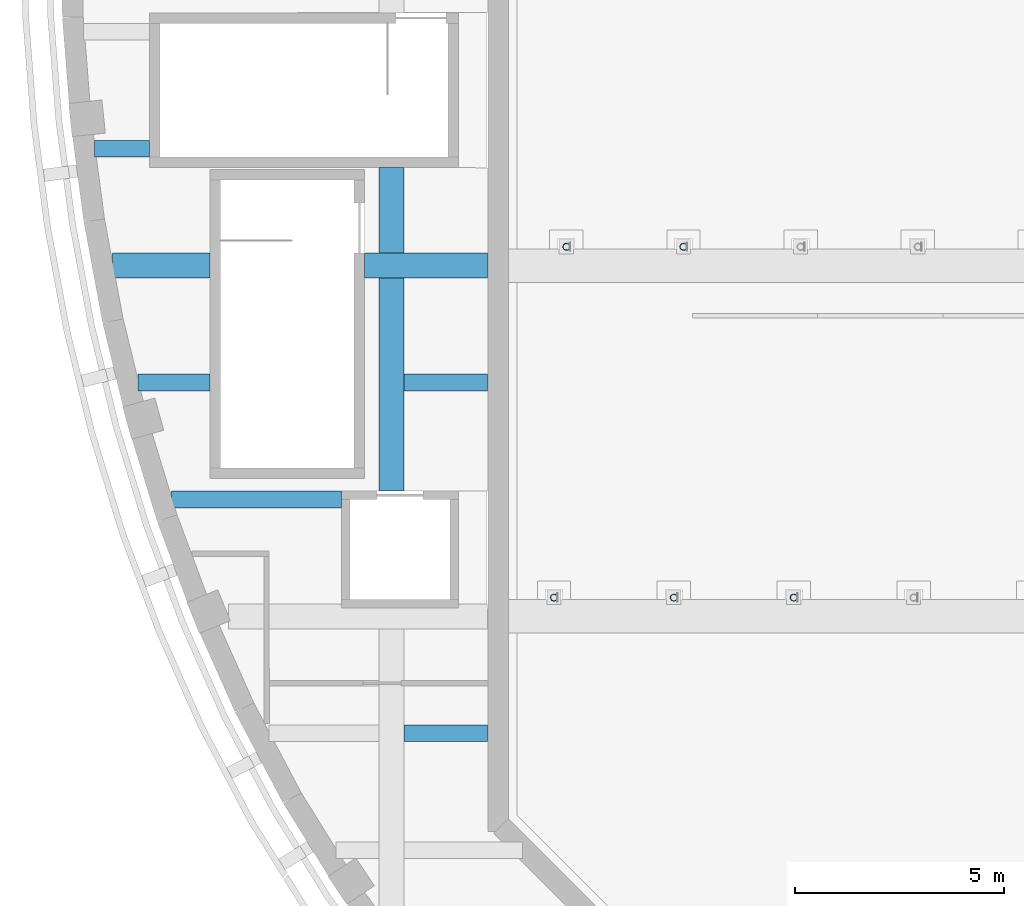
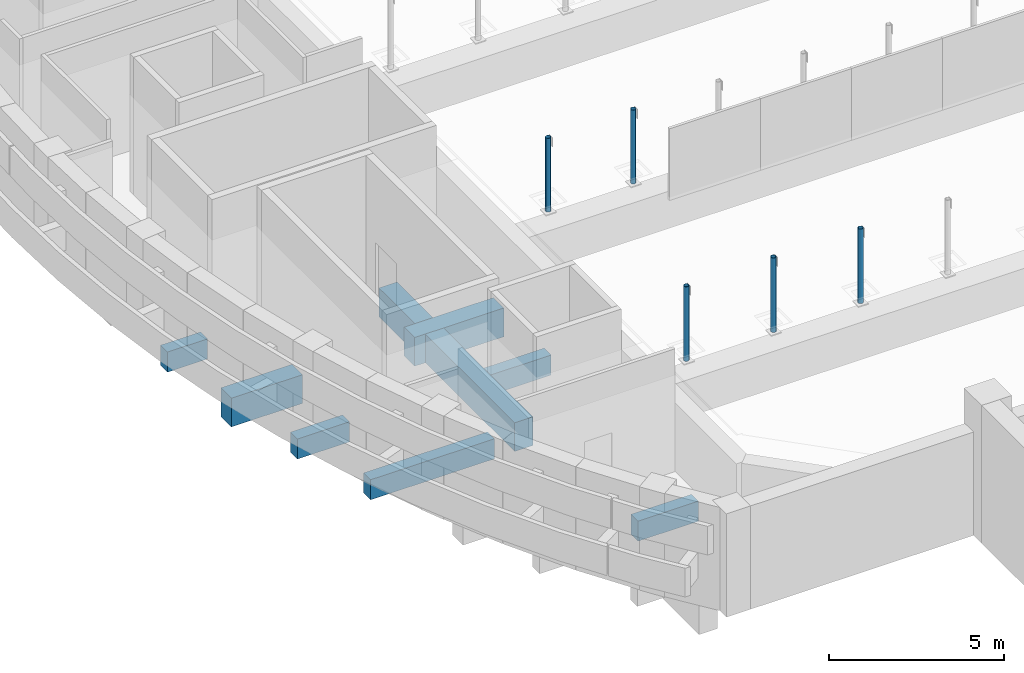
# One storey, part 2 of 47: 8 beams, 5 members.
"""IFC4 building model written with IfcOpenShell, lengths in metres."""

from ifc_helpers import new_model, si_unit, direction, frame, origin, origin_2d, place, context, subcontext, project, spatial, rectangle, hollow_circle, extrude, material, material_profile, profile_set, type_object, element, save


model = new_model("IFC4")

# Units and contexts
model_context = context("Model", 3, precision=1e-05, world=origin(), true_north=direction((0.0, 1.0)))
body_context = subcontext(model_context, "Body", "Model", "MODEL_VIEW")
ifc_project = project(units=[si_unit("LENGTHUNIT", "METRE"), si_unit("AREAUNIT", "SQUARE_METRE"), si_unit("VOLUMEUNIT", "CUBIC_METRE"), si_unit("PLANEANGLEUNIT", "RADIAN"), si_unit("MASSUNIT", "GRAM", prefix="KILO")], contexts=[model_context])

# Site, building, storey
site_placement = place(None, origin())
site = spatial("IfcSite", under=ifc_project, at=site_placement, CompositionType="ELEMENT")
building_placement = place(site_placement, origin())
building = spatial("IfcBuilding", under=site, at=building_placement, Name="Larchfold Concert Hall", CompositionType="ELEMENT")
storey_placement = place(building_placement, frame((0.0, 0.0, 24.0)))
storey = spatial("IfcBuildingStorey", under=building, at=storey_placement, Name="L05", CompositionType="ELEMENT", Elevation=24.0)

# Beams
ifc_material_1 = material(Name="Concrete C35/45", Category="concrete")
ifc_material_profile_1 = material_profile(ifc_material_1, rectangle(XDim=0.39990234375, YDim=0.699951171875, at=origin_2d()))
ifc_profile_set_1 = profile_set([ifc_material_profile_1], Name="Concrete C35/45")
beam_type_1 = type_object("IfcBeamType", Name="Beam RC 400x700", PredefinedType="BEAM", material=ifc_profile_set_1)
beam_1_placement = place(storey_placement, frame((26.10009765625, 65.0, -0.550048828125), z_axis=(1.0, 0.0, 0.0), x_axis=(0.0, 1.0, 0.0)))
element("IfcBeam", 1, at=beam_1_placement, inside=storey, type_object=beam_type_1, Name="Beam B1555", PredefinedType="BEAM", context=body_context, shape_type="SweptSolid", body=[
    extrude(rectangle(XDim=0.39990234375, YDim=0.699951171875, at=origin_2d()), origin(), (0.0, 0.0, 1.0), 1.989990234375),
])
beam_2_placement = place(storey_placement, frame((20.525634765625, 70.60009765625, -0.550048828125), z_axis=(1.0, 0.0, 0.0), x_axis=(0.0, 1.0, 0.0)))
element("IfcBeam", 2, at=beam_2_placement, inside=storey, type_object=beam_type_1, Name="Beam B1558", PredefinedType="BEAM", context=body_context, shape_type="SweptSolid", body=[
    extrude(rectangle(XDim=0.39990234375, YDim=0.699951171875, at=origin_2d()), origin(), (0.0, 0.0, 1.0), 4.074462890625),
])
beam_3_placement = place(storey_placement, frame((19.72119140625, 73.39990234375, -0.550048828125), z_axis=(1.0, 0.0, 0.0), x_axis=(0.0, 1.0, 0.0)))
element("IfcBeam", 3, at=beam_3_placement, inside=storey, type_object=beam_type_1, Name="Beam B1560", PredefinedType="BEAM", context=body_context, shape_type="SweptSolid", body=[
    extrude(rectangle(XDim=0.39990234375, YDim=0.699951171875, at=origin_2d()), origin(), (0.0, 0.0, 1.0), 1.728759765625),
])
beam_4_placement = place(storey_placement, frame((26.10009765625, 73.39990234375, -0.550048828125), z_axis=(1.0, 0.0, 0.0), x_axis=(0.0, 1.0, 0.0)))
element("IfcBeam", 4, at=beam_4_placement, inside=storey, type_object=beam_type_1, Name="Beam B1561", PredefinedType="BEAM", context=body_context, shape_type="SweptSolid", body=[
    extrude(rectangle(XDim=0.39990234375, YDim=0.699951171875, at=origin_2d()), origin(), (0.0, 0.0, 1.0), 1.989990234375),
])
beam_5_placement = place(storey_placement, frame((18.68017578125, 79.0, -0.550048828125), z_axis=(1.0, 0.0, 0.0), x_axis=(0.0, 1.0, 0.0)))
element("IfcBeam", 5, at=beam_5_placement, inside=storey, type_object=beam_type_1, Name="Beam B1564", PredefinedType="BEAM", context=body_context, shape_type="SweptSolid", body=[
    extrude(rectangle(XDim=0.39990234375, YDim=0.699951171875, at=origin_2d()), origin(), (0.0, 0.0, 1.0), 1.31982421875),
])
ifc_material_2 = material(Name="Concrete C35/45", Category="concrete")
ifc_material_profile_2 = material_profile(ifc_material_2, rectangle(XDim=0.60009765625, YDim=1.0, at=origin_2d()))
ifc_profile_set_2 = profile_set([ifc_material_profile_2], Name="Concrete C35/45")
beam_type_2 = type_object("IfcBeamType", Name="Beam RC 600x1000", PredefinedType="BEAM", material=ifc_profile_set_2)
beam_6_placement = place(storey_placement, frame((25.800048828125, 70.800048828125, -0.699951171875), z_axis=(0.0, 1.0, 0.0), x_axis=(-1.0, 0.0, 0.0)))
element("IfcBeam", 6, at=beam_6_placement, inside=storey, type_object=beam_type_2, Name="Beam B1522", PredefinedType="BEAM", context=body_context, shape_type="SweptSolid", body=[
    extrude(rectangle(XDim=0.60009765625, YDim=1.0, at=origin_2d()), origin(), (0.0, 0.0, 1.0), 7.75),
])
beam_7_placement = place(storey_placement, frame((19.1103515625, 76.199951171875, -0.699951171875), z_axis=(1.0, 0.0, 0.0), x_axis=(0.0, 1.0, 0.0)))
element("IfcBeam", 7, at=beam_7_placement, inside=storey, type_object=beam_type_2, Name="Beam B1534", PredefinedType="BEAM", context=body_context, shape_type="SweptSolid", body=[
    extrude(rectangle(XDim=0.60009765625, YDim=1.0, at=origin_2d()), origin(), (0.0, 0.0, 1.0), 2.339599609375),
])
beam_8_placement = place(storey_placement, frame((25.14990234375, 76.199951171875, -0.699951171875), z_axis=(1.0, 0.0, 0.0), x_axis=(0.0, 1.0, 0.0)))
element("IfcBeam", 8, at=beam_8_placement, inside=storey, type_object=beam_type_2, Name="Beam B1535", PredefinedType="BEAM", context=body_context, shape_type="SweptSolid", body=[
    extrude(rectangle(XDim=0.60009765625, YDim=1.0, at=origin_2d()), origin(), (0.0, 0.0, 1.0), 2.940185546875),
])

# Members
ifc_material_3 = material(Name="Steel S355J2H", Category="steel")
ifc_material_profile_3 = material_profile(ifc_material_3, hollow_circle(Radius=0.084228515625, WallThickness=0.008056640625, at=origin_2d()))
ifc_profile_set_3 = profile_set([ifc_material_profile_3], Name="Steel S355J2H")
member_type = type_object("IfcMemberType", Name="Truss post CHS 168.3x8", PredefinedType="POST", material=ifc_profile_set_3)
for number, where, z_axis, x_axis, name in (
    (9, (29.684814453125, 68.25, 2.080078125), (0.0, 0.0, 1.0), (1.0, 0.0, 0.0), "Member TP001"),
    (10, (32.5546875, 68.25, 2.080078125), (0.0, 0.0, 1.0), (1.0, 0.0, 0.0), "Member TP002"),
    (11, (35.4248046875, 68.25, 2.080078125), (0.0, 0.0, 1.0), (1.0, 0.0, 0.0), "Member TP003"),
):
    element("IfcMember", number, at=place(storey_placement, frame(where, z_axis=z_axis, x_axis=x_axis)), inside=storey, type_object=member_type, Name=name, PredefinedType="POST", context=body_context, shape_type="SweptSolid", body=[
        extrude(hollow_circle(Radius=0.084228515625, WallThickness=0.008056640625, at=origin_2d()), origin(), (0.0, 0.0, 1.0), 2.594970703125),
    ])
for number, where, z_axis, x_axis, name in (
    (12, (29.981201171875, 76.650146484375, 2.080078125), (0.0, 0.0, 1.0), (1.0, 0.0, 0.0), "Member TP011"),
    (13, (32.785400390625, 76.650146484375, 2.080078125), (0.0, 0.0, 1.0), (1.0, 0.0, 0.0), "Member TP012"),
):
    element("IfcMember", number, at=place(storey_placement, frame(where, z_axis=z_axis, x_axis=x_axis)), inside=storey, type_object=member_type, Name=name, PredefinedType="POST", context=body_context, shape_type="SweptSolid", body=[
        extrude(hollow_circle(Radius=0.084228515625, WallThickness=0.008056640625, at=origin_2d()), origin(), (0.0, 0.0, 1.0), 2.570068359375),
    ])

save(model, "model.ifc")
